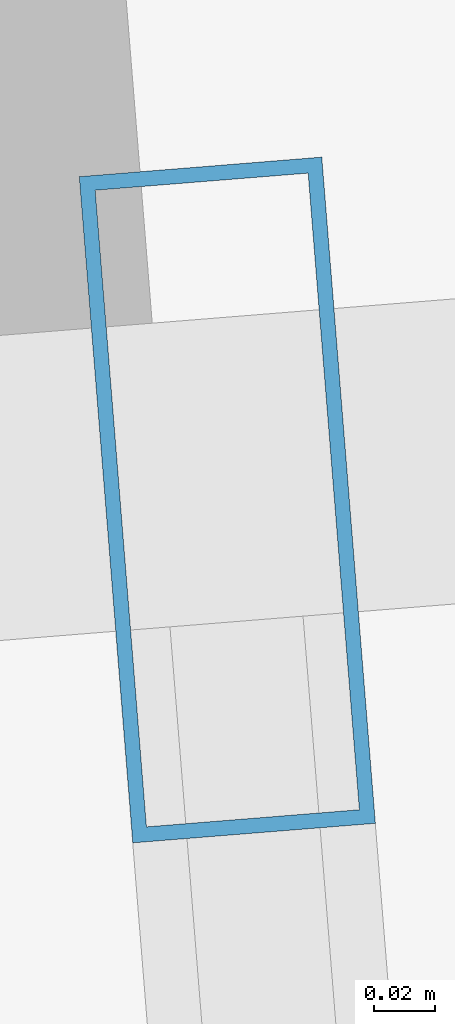
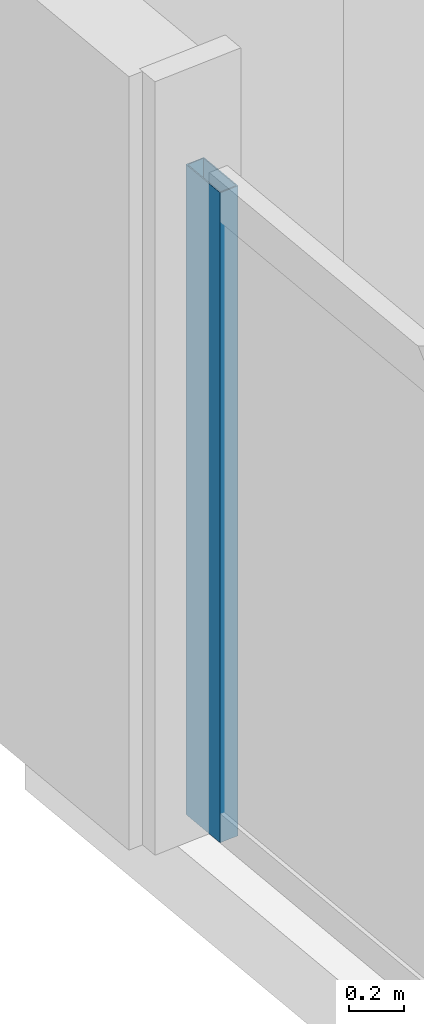
# One storey, part 16 of 33: 1 member, 1 element without a shape of its own.
"""IFC4 building model written with IfcOpenShell, lengths in metres."""

from ifc_helpers import new_model, si_unit, direction, frame, origin, origin_2d, place, context, subcontext, project, spatial, hollow_rectangle, extrude, material, material_profile, profile_set, type_object, element, aggregate, save


model = new_model("IFC4")

# Units and contexts
model_context = context("Model", 3, precision=1e-05, world=origin(), true_north=direction((0.0, 1.0)))
body_context = subcontext(model_context, "Body", "Model", "MODEL_VIEW")
ifc_project = project(units=[si_unit("LENGTHUNIT", "METRE"), si_unit("AREAUNIT", "SQUARE_METRE"), si_unit("VOLUMEUNIT", "CUBIC_METRE"), si_unit("PLANEANGLEUNIT", "RADIAN"), si_unit("MASSUNIT", "GRAM", prefix="KILO")], contexts=[model_context])

# Site, building, storey
site_placement = place(None, origin())
site = spatial("IfcSite", under=ifc_project, at=site_placement, CompositionType="ELEMENT")
building_placement = place(site_placement, origin())
building = spatial("IfcBuilding", under=site, at=building_placement, Name="Haldenkirk Collegiate Tower", CompositionType="ELEMENT")
storey_placement = place(building_placement, frame((0.0, 0.0, 43.949951171875)))
storey = spatial("IfcBuildingStorey", under=building, at=storey_placement, Name="L09", CompositionType="ELEMENT", Elevation=43.949951171875)

# Curtain wall, member
ifc_material = material(Name="Anodised architectural bronze aluminium", Category="aluminium")
curtain_wall_type = type_object("IfcCurtainWallType", Name="CW-SYS1-CONVEX-LOW", PredefinedType="USERDEFINED", material=ifc_material)
curtain_wall_placement = place(storey_placement, origin())
curtain_wall = element("IfcCurtainWall", 1, at=curtain_wall_placement, inside=storey, type_object=curtain_wall_type, Name="L09 Lower tower convex bronze-framed unitised curtain wall", ObjectType="UNITISED CURTAIN WALL", PredefinedType="USERDEFINED")
ifc_material_profile = material_profile(ifc_material, hollow_rectangle(XDim=0.080078125, YDim=0.219970703125, WallThickness=0.0048828125, at=origin_2d()), Name="CW-MUL-1A")
ifc_profile_set = profile_set([ifc_material_profile], Name="Anodised architectural bronze aluminium")
member_type = type_object("IfcMemberType", Name="CW-MUL-1A", PredefinedType="MULLION", material=ifc_profile_set)
member_placement = place(storey_placement, frame((7.593505859375, 44.641845703125, 0.0), z_axis=(0.0, 0.0, 1.0), x_axis=(-0.996778913457, -0.080198489315, 0.0)))
member = element("IfcMember", 2, at=member_placement, type_object=member_type, Name="CW-1A mullion 5", PredefinedType="MULLION", context=body_context, shape_type="SweptSolid", body=[
    extrude(hollow_rectangle(XDim=0.080078125, YDim=0.219970703125, WallThickness=0.0048828125, at=origin_2d()), origin(), (0.0, 0.0, 1.0), 2.89111328125),
])
aggregate(curtain_wall, [member])

save(model, "model.ifc")
